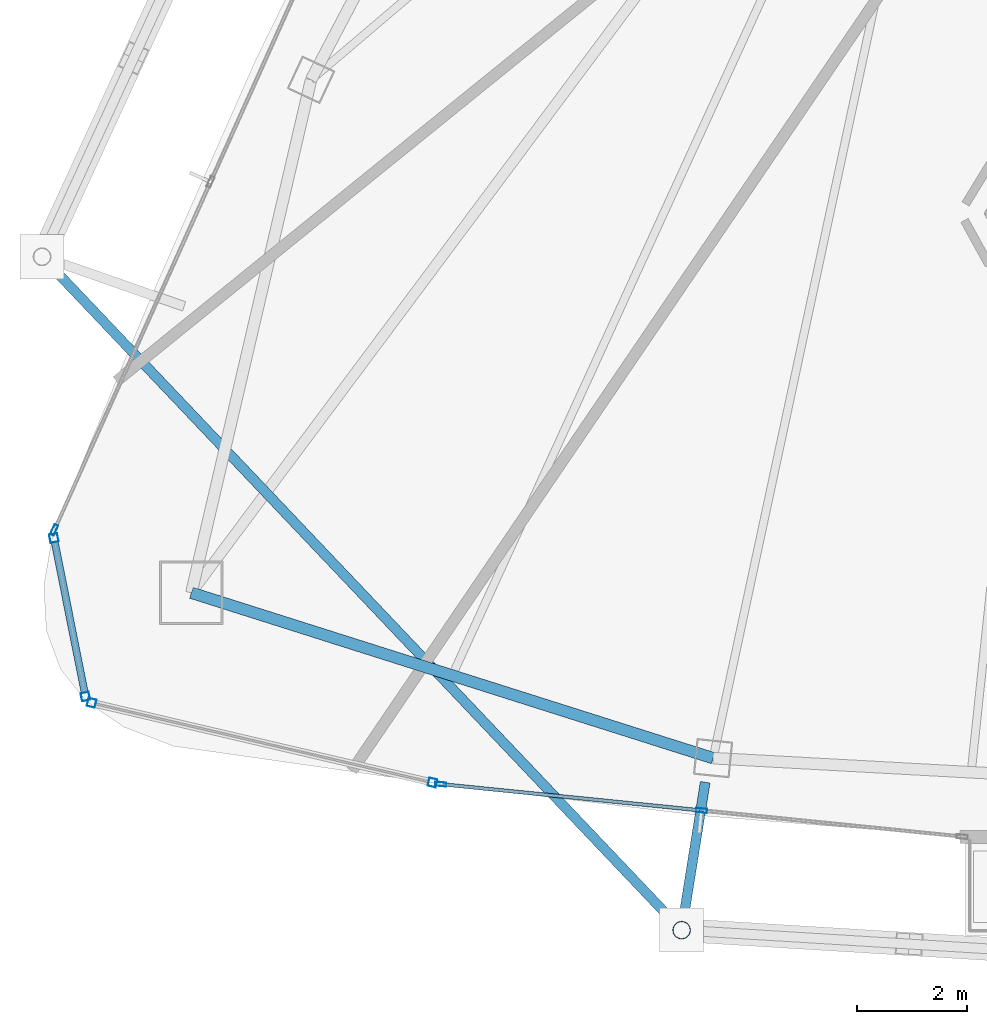
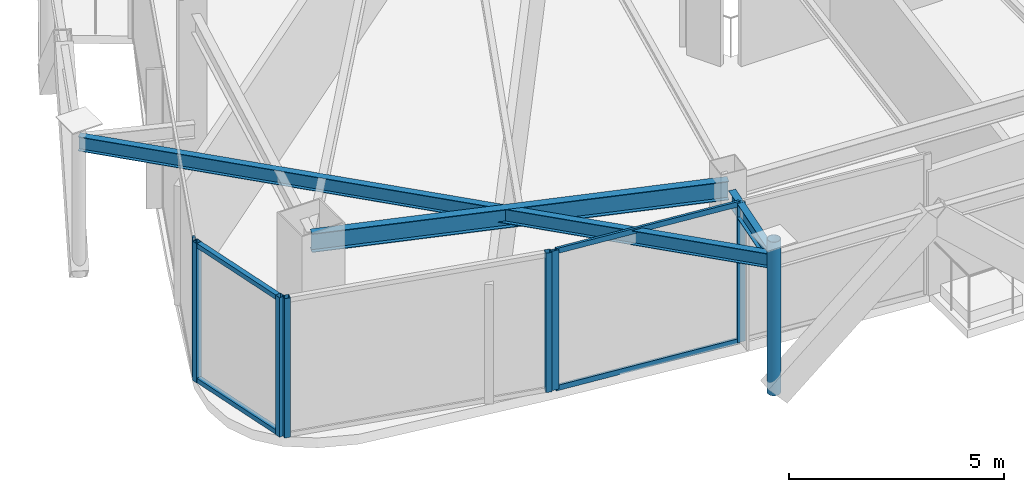
# One storey, part 2 of 22: 12 members, 3 beams, 4 elements without a shape of their own.
"""IFC4 building model written with IfcOpenShell, lengths in metres."""

from ifc_helpers import new_model, si_unit, direction, frame, origin, origin_2d, place, context, subcontext, project, spatial, hollow_rectangle, hollow_circle, i_section, extrude, material, layer, layer_set, material_profile, profile_set, type_object, element, aggregate, save


model = new_model("IFC4")

# Units and contexts
model_context = context("Model", 3, precision=1e-05, world=origin(), true_north=direction((0.0, 1.0)))
body_context = subcontext(model_context, "Body", "Model", "MODEL_VIEW")
ifc_project = project(units=[si_unit("LENGTHUNIT", "METRE"), si_unit("AREAUNIT", "SQUARE_METRE"), si_unit("VOLUMEUNIT", "CUBIC_METRE"), si_unit("PLANEANGLEUNIT", "RADIAN"), si_unit("MASSUNIT", "GRAM", prefix="KILO")], contexts=[model_context])

# Site, building, storey
site_placement = place(None, origin())
site = spatial("IfcSite", under=ifc_project, at=site_placement, CompositionType="ELEMENT")
building_placement = place(site_placement, origin())
building = spatial("IfcBuilding", under=site, at=building_placement, Name="Orvanel Arch Residences", CompositionType="ELEMENT")
storey_placement = place(building_placement, frame((0.0, 0.0, 276.64990234375)))
storey = spatial("IfcBuildingStorey", under=building, at=storey_placement, Name="L79", CompositionType="ELEMENT", Elevation=276.64990234375)

# Curtain wall, members
ifc_material_1 = material(Name="Bronze-anodised aluminium AA6063-T6", Category="aluminium")
ifc_layer_1 = layer(ifc_material_1, 0.18994140625)
ifc_layer_set_1 = layer_set([ifc_layer_1], Name="Bronze-anodised aluminium AA6063-T6")
curtain_wall_type_1 = type_object("IfcCurtainWallType", Name="CW5-CRN-SYS", PredefinedType="NOTDEFINED", material=ifc_layer_set_1)
curtain_wall_1_placement = place(storey_placement, origin())
curtain_wall_1 = element("IfcCurtainWall", 1, at=curtain_wall_1_placement, inside=storey, type_object=curtain_wall_type_1, Name="L79 CW5-CRN-SYS Unitised Curtain Wall", PredefinedType="NOTDEFINED")
ifc_material_profile_1 = material_profile(ifc_material_1, hollow_rectangle(XDim=0.14990234375, YDim=0.14990234375, WallThickness=0.0048828125, at=origin_2d()), Name="ALU150x150x5")
ifc_profile_set_1 = profile_set([ifc_material_profile_1], Name="Bronze-anodised aluminium AA6063-T6")
member_type_1 = type_object("IfcMemberType", Name="MUL-150x150", PredefinedType="MULLION", material=ifc_profile_set_1)
member_1_placement = place(storey_placement, frame((11.709716796875, 11.34033203125, 0.0), z_axis=(0.0, 0.0, 1.0), x_axis=(0.980718007091, 0.195428223569, 0.0)))
member_1 = element("IfcMember", 2, at=member_1_placement, type_object=member_type_1, Name="CW-S5 mullion 1", PredefinedType="MULLION", context=body_context, shape_type="SweptSolid", body=[
    extrude(hollow_rectangle(XDim=0.14990234375, YDim=0.14990234375, WallThickness=0.0048828125, at=origin_2d()), origin(), (0.0, 0.0, 1.0), 3.9501953125),
])
member_2_placement = place(storey_placement, frame((12.28125, 8.471435546875, 0.0), z_axis=(0.0, 0.0, 1.0), x_axis=(0.980718007091, 0.195428223569, 0.0)))
member_2 = element("IfcMember", 3, at=member_2_placement, type_object=member_type_1, Name="CW-S5 mullion 2", PredefinedType="MULLION", context=body_context, shape_type="SweptSolid", body=[
    extrude(hollow_rectangle(XDim=0.14990234375, YDim=0.14990234375, WallThickness=0.0048828125, at=origin_2d()), origin(), (0.0, 0.0, 1.0), 3.9501953125),
])

curtain_wall_2_placement = place(storey_placement, origin())
curtain_wall_2 = element("IfcCurtainWall", 4, at=curtain_wall_2_placement, inside=storey, type_object=curtain_wall_type_1, Name="L79 CW5-CRN-SYS Unitised Curtain Wall", PredefinedType="NOTDEFINED")
member_3_placement = place(storey_placement, frame((12.39208984375, 8.35595703125, 0.0), z_axis=(0.0, 0.0, 1.0), x_axis=(0.227682481487, 0.973735429993, 0.0)))
member_3 = element("IfcMember", 5, at=member_3_placement, type_object=member_type_1, Name="CW-S5 mullion 1", PredefinedType="MULLION", context=body_context, shape_type="SweptSolid", body=[
    extrude(hollow_rectangle(XDim=0.14990234375, YDim=0.14990234375, WallThickness=0.0048828125, at=origin_2d()), origin(), (0.0, 0.0, 1.0), 3.9501953125),
])
member_4_placement = place(storey_placement, frame((18.56689453125, 6.912109375, 0.0), z_axis=(0.0, 0.0, 1.0), x_axis=(0.227682481487, 0.973735429993, 0.0)))
member_4 = element("IfcMember", 6, at=member_4_placement, type_object=member_type_1, Name="CW-S5 mullion 2", PredefinedType="MULLION", context=body_context, shape_type="SweptSolid", body=[
    extrude(hollow_rectangle(XDim=0.14990234375, YDim=0.14990234375, WallThickness=0.0048828125, at=origin_2d()), origin(), (0.0, 0.0, 1.0), 3.9501953125),
])
aggregate(curtain_wall_2, [member_3, member_4])

# Curtain wall, member
ifc_layer_2 = layer(ifc_material_1, 0.195068359375)
ifc_layer_set_2 = layer_set([ifc_layer_2], Name="Bronze-anodised aluminium AA6063-T6")
curtain_wall_type_2 = type_object("IfcCurtainWallType", Name="CW6-COM-SYS", PredefinedType="NOTDEFINED", material=ifc_layer_set_2)
curtain_wall_3_placement = place(storey_placement, origin())
curtain_wall_3 = element("IfcCurtainWall", 7, at=curtain_wall_3_placement, inside=storey, type_object=curtain_wall_type_2, Name="L79 CW6-COM-SYS Unitised Curtain Wall", PredefinedType="NOTDEFINED")
ifc_material_profile_2 = material_profile(ifc_material_1, hollow_rectangle(XDim=0.074951171875, YDim=0.199951171875, WallThickness=0.0048828125, at=origin_2d()), Name="ALU200x75x5")
ifc_profile_set_2 = profile_set([ifc_material_profile_2], Name="Bronze-anodised aluminium AA6063-T6")
member_type_2 = type_object("IfcMemberType", Name="MUL-200x75", PredefinedType="MULLION", material=ifc_profile_set_2)
member_5_placement = place(storey_placement, frame((11.71435546875, 11.486328125, 0.0), z_axis=(0.0, 0.0, 1.0), x_axis=(0.91225362662, -0.409625830142, 0.0)))
member_5 = element("IfcMember", 8, at=member_5_placement, type_object=member_type_2, Name="CW-S6 mullion 3", PredefinedType="MULLION", context=body_context, shape_type="SweptSolid", body=[
    extrude(hollow_rectangle(XDim=0.074951171875, YDim=0.199951171875, WallThickness=0.0048828125, at=origin_2d()), origin(), (0.0, 0.0, 1.0), 3.9501953125),
])
aggregate(curtain_wall_3, [member_5])

# Curtain wall, members
curtain_wall_4_placement = place(storey_placement, origin())
curtain_wall_4 = element("IfcCurtainWall", 9, at=curtain_wall_4_placement, inside=storey, type_object=curtain_wall_type_2, Name="L79 CW6-COM-SYS Unitised Curtain Wall", PredefinedType="NOTDEFINED")
member_6_placement = place(storey_placement, frame((18.71630859375, 6.88427734375, 0.0), z_axis=(0.0, 0.0, 1.0), x_axis=(0.100321070404, 0.994955115989, 0.0)))
member_6 = element("IfcMember", 10, at=member_6_placement, type_object=member_type_2, Name="CW-S6 mullion 1", PredefinedType="MULLION", context=body_context, shape_type="SweptSolid", body=[
    extrude(hollow_rectangle(XDim=0.074951171875, YDim=0.199951171875, WallThickness=0.0048828125, at=origin_2d()), origin(), (0.0, 0.0, 1.0), 3.9501953125),
])
member_7_placement = place(storey_placement, frame((23.439453125, 6.407958984375, 0.0), z_axis=(0.0, 0.0, 1.0), x_axis=(0.100321070404, 0.994955115989, 0.0)))
member_7 = element("IfcMember", 11, at=member_7_placement, type_object=member_type_2, Name="CW-S6 mullion 2", PredefinedType="MULLION", context=body_context, shape_type="SweptSolid", body=[
    extrude(hollow_rectangle(XDim=0.074951171875, YDim=0.199951171875, WallThickness=0.0048828125, at=origin_2d()), origin(), (0.0, 0.0, 1.0), 3.9501953125),
])

# Beams
ifc_material_2 = material(Name="Structural steel AS/NZS 3679.1 Grade 300 (300 MPa)", Category="steel")
ifc_material_profile_3 = material_profile(ifc_material_2, i_section(OverallWidth=0.177978515625, OverallDepth=0.406005859375, WebThickness=0.0078125, FlangeThickness=0.0126953125, at=origin_2d()), Name="410UB59.7")
ifc_profile_set_3 = profile_set([ifc_material_profile_3], Name="Structural steel AS/NZS 3679.1 Grade 300 (300 MPa)")
beam_type_1 = type_object("IfcBeamType", Name="OB-410UB-EXT", PredefinedType="SPANDREL", material=ifc_profile_set_3)
beam_1_placement = place(storey_placement, frame((11.4951171875, 16.43701171875, 3.7470703125), z_axis=(0.688649899654, -0.725094004738, 0.0), x_axis=(0.725094004738, 0.688649899654, 0.0)))
element("IfcBeam", 12, at=beam_1_placement, inside=storey, type_object=beam_type_1, Name="L79 Outer Perimeter Floor Ring Beam 04", PredefinedType="SPANDREL", context=body_context, shape_type="SweptSolid", body=[
    extrude(i_section(OverallWidth=0.177978515625, OverallDepth=0.406005859375, WebThickness=0.0078125, FlangeThickness=0.0126953125, at=origin_2d()), origin(), (0.0, 0.0, 1.0), 16.8212890625),
])
beam_2_placement = place(storey_placement, frame((23.506103515625, 6.919921875, 3.7470703125), z_axis=(-0.157348363534, -0.987543159813, 0.0), x_axis=(0.987543159813, -0.157348363534, 0.0)))
element("IfcBeam", 13, at=beam_2_placement, inside=storey, type_object=beam_type_1, Name="L79 Outer Frame Radial Tie Beam 05", PredefinedType="SPANDREL", context=body_context, shape_type="SweptSolid", body=[
    extrude(i_section(OverallWidth=0.177978515625, OverallDepth=0.406005859375, WebThickness=0.0078125, FlangeThickness=0.0126953125, at=origin_2d()), origin(), (0.0, 0.0, 1.0), 2.713623046875),
])
ifc_material_profile_4 = material_profile(ifc_material_2, i_section(OverallWidth=0.208984375, OverallDepth=0.532958984375, WebThickness=0.01025390625, FlangeThickness=0.015625, at=origin_2d()), Name="530UB92.4")
ifc_profile_set_4 = profile_set([ifc_material_profile_4], Name="Structural steel AS/NZS 3679.1 Grade 300 (300 MPa)")
beam_type_2 = type_object("IfcBeamType", Name="SP-530UB", PredefinedType="SPANDREL", material=ifc_profile_set_4)
beam_3_placement = place(storey_placement, frame((14.198974609375, 10.35107421875, 3.68408203125), z_axis=(0.953237386592, -0.302222574941, 0.0), x_axis=(0.302222574941, 0.953237386592, 0.0)))
element("IfcBeam", 14, at=beam_3_placement, inside=storey, type_object=beam_type_2, Name="L79 Perimeter Spandrel Beam 02", PredefinedType="SPANDREL", context=body_context, shape_type="SweptSolid", body=[
    extrude(i_section(OverallWidth=0.208984375, OverallDepth=0.532958984375, WebThickness=0.01025390625, FlangeThickness=0.015625, at=origin_2d()), origin(), (0.0, 0.0, 1.0), 9.91357421875),
])

# Member
ifc_material_3 = material(Name="Structural steel AS/NZS 1163 C350L0 (Grade 350)", Category="steel")
ifc_material_profile_5 = material_profile(ifc_material_3, hollow_circle(Radius=0.162109375, WallThickness=0.0126953125, at=origin_2d()), Name="CHS324x12.7")
ifc_profile_set_5 = profile_set([ifc_material_profile_5], Name="Structural steel AS/NZS 1163 C350L0 (Grade 350)")
member_type_3 = type_object("IfcMemberType", Name="ST-324CHS-EXT", PredefinedType="STRUT", material=ifc_profile_set_5)
member_8_placement = place(storey_placement, frame((23.0791015625, 4.239990234375, 0.0), z_axis=(0.0, 0.0, 1.0), x_axis=(1.0, 0.0, 0.0)))
element("IfcMember", 15, at=member_8_placement, inside=storey, type_object=member_type_3, Name="L79 Outer Perimeter Frame Post 05", PredefinedType="STRUT", context=body_context, shape_type="SweptSolid", body=[
    extrude(hollow_circle(Radius=0.162109375, WallThickness=0.0126953125, at=origin_2d()), origin(), (0.0, 0.0, 1.0), 4.35009765625),
])

ifc_material_profile_6 = material_profile(ifc_material_1, hollow_rectangle(XDim=0.1298828125, YDim=0.1298828125, WallThickness=0.00439453125, at=origin_2d()), Name="ALU130x130x4.5")
ifc_profile_set_6 = profile_set([ifc_material_profile_6], Name="Bronze-anodised aluminium AA6063-T6")
member_type_4 = type_object("IfcMemberType", Name="TRN-130x130", PredefinedType="USERDEFINED", material=ifc_profile_set_6)
member_9_placement = place(storey_placement, frame((11.724365234375, 11.266845703125, 0.065185546875), z_axis=(0.195388609982, -0.980725900081, 0.0), x_axis=(0.980725900081, 0.195388609982, 0.0)))
member_9 = element("IfcMember", 16, at=member_9_placement, type_object=member_type_4, Name="CW-S5 transom 1.1", ObjectType="TRANSOM", PredefinedType="USERDEFINED", context=body_context, shape_type="SweptSolid", body=[
    extrude(hollow_rectangle(XDim=0.1298828125, YDim=0.1298828125, WallThickness=0.00439453125, at=origin_2d()), origin(), (0.0, 0.0, 1.0), 2.775146484375),
])

member_10_placement = place(storey_placement, frame((11.724365234375, 11.266845703125, 3.885009765625), z_axis=(0.195388609982, -0.980725900081, 0.0), x_axis=(0.980725900081, 0.195388609982, 0.0)))
member_10 = element("IfcMember", 17, at=member_10_placement, type_object=member_type_4, Name="CW-S5 transom 1.2", ObjectType="TRANSOM", PredefinedType="USERDEFINED", context=body_context, shape_type="SweptSolid", body=[
    extrude(hollow_rectangle(XDim=0.1298828125, YDim=0.1298828125, WallThickness=0.00439453125, at=origin_2d()), origin(), (0.0, 0.0, 1.0), 2.775146484375),
])

aggregate(curtain_wall_1, [member_1, member_2, member_9, member_10])

ifc_material_profile_7 = material_profile(ifc_material_1, hollow_rectangle(XDim=0.06494140625, YDim=0.14990234375, WallThickness=0.00390625, at=origin_2d()), Name="ALU150x65x4")
ifc_profile_set_7 = profile_set([ifc_material_profile_7], Name="Bronze-anodised aluminium AA6063-T6")
member_type_5 = type_object("IfcMemberType", Name="TRN-150x65", PredefinedType="USERDEFINED", material=ifc_profile_set_7)
member_11_placement = place(storey_placement, frame((18.753662109375, 6.88037109375, 0.03271484375), z_axis=(0.994959279242, -0.100279771894, 0.0), x_axis=(0.100279771894, 0.994959279242, 0.0)))
member_11 = element("IfcMember", 18, at=member_11_placement, type_object=member_type_5, Name="CW-S6 transom 1.1", ObjectType="TRANSOM", PredefinedType="USERDEFINED", context=body_context, shape_type="SweptSolid", body=[
    extrude(hollow_rectangle(XDim=0.06494140625, YDim=0.14990234375, WallThickness=0.00390625, at=origin_2d()), origin(), (0.0, 0.0, 1.0), 4.671875),
])

member_12_placement = place(storey_placement, frame((18.753662109375, 6.88037109375, 3.91748046875), z_axis=(0.994959279242, -0.100279771894, 0.0), x_axis=(0.100279771894, 0.994959279242, 0.0)))
member_12 = element("IfcMember", 19, at=member_12_placement, type_object=member_type_5, Name="CW-S6 transom 1.2", ObjectType="TRANSOM", PredefinedType="USERDEFINED", context=body_context, shape_type="SweptSolid", body=[
    extrude(hollow_rectangle(XDim=0.06494140625, YDim=0.14990234375, WallThickness=0.00390625, at=origin_2d()), origin(), (0.0, 0.0, 1.0), 4.671875),
])

aggregate(curtain_wall_4, [member_6, member_7, member_11, member_12])

save(model, "model.ifc")
